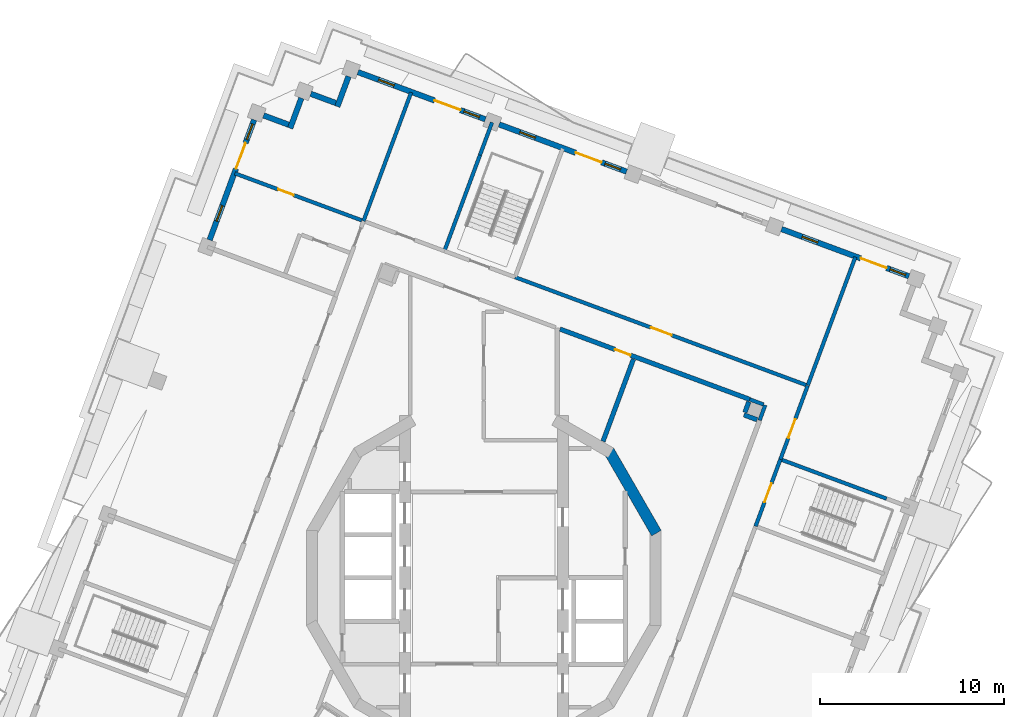
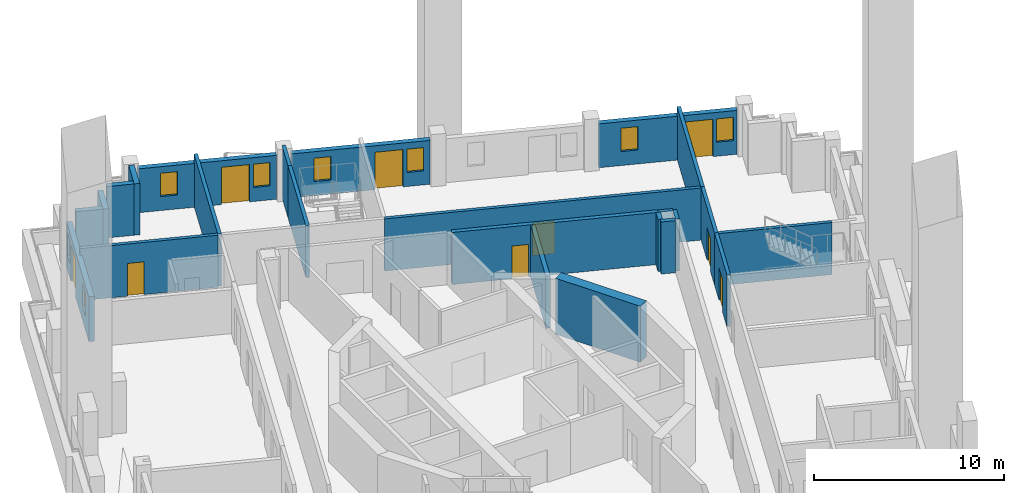
# One storey, part 7 of 20: 24 walls, 9 doors, 8 windows, 17 openings.
"""IFC4 building model written with IfcOpenShell, lengths in metres."""

from ifc_helpers import new_model, si_unit, direction, frame, frame_2d, origin, place, context, subcontext, project, spatial, rectangle, extrude, material, layer, layer_set, type_object, element, fill, save


model = new_model("IFC4")

# Units and contexts
model_context = context("Model", 3, precision=1e-05, world=origin(), true_north=direction((0.0, 1.0)))
body_context = subcontext(model_context, "Body", "Model", "MODEL_VIEW")
ifc_project = project(units=[si_unit("LENGTHUNIT", "METRE"), si_unit("AREAUNIT", "SQUARE_METRE"), si_unit("VOLUMEUNIT", "CUBIC_METRE"), si_unit("PLANEANGLEUNIT", "RADIAN"), si_unit("MASSUNIT", "GRAM", prefix="KILO")], contexts=[model_context])

# Site, building, storey
site_placement = place(None, origin())
site = spatial("IfcSite", under=ifc_project, at=site_placement, CompositionType="ELEMENT")
building_placement = place(site_placement, origin())
building = spatial("IfcBuilding", under=site, at=building_placement, Name="Cantera Rosa Tower", CompositionType="ELEMENT")
storey_placement = place(building_placement, frame((0.0, 0.0, 306.10009765625)))
storey = spatial("IfcBuildingStorey", under=building, at=storey_placement, Name="L67", CompositionType="ELEMENT", Elevation=306.10009765625)

# Walls
ifc_material_1 = material(Name="Gypsum board partition")
ifc_layer_1 = layer(ifc_material_1, 0.199951171875)
ifc_layer_set_1 = layer_set([ifc_layer_1], Name="CORRIDOR WALL 200 H3350")
wall_type_1 = type_object("IfcWallType", Name="CORRIDOR WALL 200 H3350", PredefinedType="PARTITIONING", material=ifc_layer_set_1)
wall_1_placement = place(storey_placement, frame((15.019287109375, 8.586181640625, 0.0), z_axis=(0.0, 0.0, 1.0), x_axis=(0.347684862487, 0.937611452787, 0.0)))
element("IfcWall", 1, at=wall_1_placement, inside=storey, type_object=wall_type_1, Name="CORRIDOR WALL L67-094", PredefinedType="PARTITIONING", context=body_context, shape_type="SweptSolid", body=[
    extrude(rectangle(XDim=0.8798828125, YDim=0.199951171875, at=frame_2d((0.43994140625, 0.0))), origin(), (0.0, 0.0, 1.0), 3.349853515625),
])
wall_2_placement = place(storey_placement, frame((15.2314453125, 9.446044921875, 0.0), z_axis=(0.0, 0.0, 1.0), x_axis=(-0.937664076813, 0.347542916853, 0.0)))
element("IfcWall", 2, at=wall_2_placement, inside=storey, type_object=wall_type_1, Name="CORRIDOR WALL L67-096", PredefinedType="PARTITIONING", context=body_context, shape_type="SweptSolid", body=[
    extrude(rectangle(XDim=0.800048828125, YDim=0.199951171875, at=frame_2d((0.39990234375, 0.0))), origin(), (0.0, 0.0, 1.0), 3.349853515625),
])

# Wall, opening, door
wall_3_placement = place(storey_placement, frame((16.1513671875, 6.460205078125, 0.0), z_axis=(0.0, 0.0, 1.0), x_axis=(0.347438825371, 0.937702651497, 0.0)))
wall_3 = element("IfcWall", 3, at=wall_3_placement, inside=storey, type_object=wall_type_1, Name="CORRIDOR WALL L67-098", PredefinedType="PARTITIONING", context=body_context, shape_type="SweptSolid", body=[
    extrude(rectangle(XDim=4.280029296875, YDim=0.199951171875, at=frame_2d((2.14013671875, 0.0))), origin(), (0.0, 0.0, 1.0), 3.349853515625),
])
opening_1_placement = place(wall_3_placement, frame((1.22998046875, 0.0, 0.0)))
opening_1 = element("IfcOpeningElement", 4, at=opening_1_placement, cuts=wall_3, Name="Opening L67-040", PredefinedType="OPENING", context=body_context, shape_type="SweptSolid", body=[
    extrude(rectangle(XDim=1.10009765625, YDim=2.10009765625, at=frame_2d((0.550048828125, 1.050048828125))), frame((0.0, 0.10986328125, 0.0), z_axis=(0.0, -1.0, 0.0), x_axis=(1.0, 0.0, 0.0)), (0.0, 0.0, 1.0), 0.219970703125),
])
ifc_material_2 = material(Name="Timber door leaf", Category="wood")
door_type_1 = type_object("IfcDoorType", Name="ROOM DOOR 1100x2100", OperationType="NOTDEFINED", PredefinedType="DOOR", material=ifc_material_2)
door_1_placement = place(opening_1_placement, origin())
door_1 = element("IfcDoor", 5, at=door_1_placement, inside=storey, type_object=door_type_1, Name="DOOR L67-040", OperationType="NOTDEFINED", OverallHeight=2.10009765625, OverallWidth=1.10009765625, PredefinedType="DOOR", context=body_context, shape_type="SweptSolid", body=[
    extrude(rectangle(XDim=1.10009765625, YDim=2.10009765625, at=frame_2d((0.550048828125, 1.050048828125))), frame((0.0, 0.02490234375, 0.0), z_axis=(0.0, -1.0, 0.0), x_axis=(1.0, 0.0, 0.0)), (0.0, 0.0, 1.0), 0.050048828125),
])
fill(opening_1, door_1)

wall_4_placement = place(storey_placement, frame((17.544677734375, 10.50830078125, 0.0), z_axis=(0.0, 0.0, 1.0), x_axis=(-0.937684617113, 0.347487494493, 0.0)))
wall_4 = element("IfcWall", 6, at=wall_4_placement, inside=storey, type_object=wall_type_1, Name="CORRIDOR WALL L67-099", PredefinedType="PARTITIONING", context=body_context, shape_type="SweptSolid", body=[
    extrude(rectangle(XDim=16.900146484375, YDim=0.199951171875, at=frame_2d((8.4501953125, 0.0))), origin(), (0.0, 0.0, 1.0), 3.349853515625),
])
opening_2_placement = place(wall_4_placement, frame((7.800048828125, 0.0, 0.0)))
opening_2 = element("IfcOpeningElement", 7, at=opening_2_placement, cuts=wall_4, Name="Opening L67-020", PredefinedType="OPENING", context=body_context, shape_type="SweptSolid", body=[
    extrude(rectangle(XDim=1.199951171875, YDim=2.10009765625, at=frame_2d((0.60009765625, 1.050048828125))), frame((0.0, 0.10986328125, 0.0), z_axis=(0.0, -1.0, 0.0), x_axis=(1.0, 0.0, 0.0)), (0.0, 0.0, 1.0), 0.219970703125),
])
ifc_material_3 = material(Name="Timber door leaf", Category="wood")
door_type_2 = type_object("IfcDoorType", Name="ROOM DOOR 1200x2100", OperationType="NOTDEFINED", PredefinedType="DOOR", material=ifc_material_3)
door_2_placement = place(opening_2_placement, origin())
door_2 = element("IfcDoor", 8, at=door_2_placement, inside=storey, type_object=door_type_2, Name="DOOR L67-020", OperationType="NOTDEFINED", OverallHeight=2.10009765625, OverallWidth=1.199951171875, PredefinedType="DOOR", context=body_context, shape_type="SweptSolid", body=[
    extrude(rectangle(XDim=1.199951171875, YDim=2.10009765625, at=frame_2d((0.60009765625, 1.050048828125))), frame((0.0, 0.02490234375, 0.0), z_axis=(0.0, -1.0, 0.0), x_axis=(1.0, 0.0, 0.0)), (0.0, 0.0, 1.0), 0.050048828125),
])
fill(opening_2, door_2)

# Walls
ifc_material_4 = material(Name="Hollow clay masonry with cantera stone cladding", Category="masonry")
ifc_layer_2 = layer(ifc_material_4, 0.300048828125)
ifc_layer_set_2 = layer_set([ifc_layer_2], Name="EW-LOGGIA 300")
wall_type_2 = type_object("IfcWallType", Name="EW-LOGGIA 300", PredefinedType="SOLIDWALL", material=ifc_layer_set_2)
wall_5_placement = place(storey_placement, frame((-7.36865234375, 27.312255859375, 0.0), z_axis=(0.0, 0.0, 1.0), x_axis=(-0.34752790836, -0.937669639538, 0.0)))
element("IfcWall", 9, at=wall_5_placement, inside=storey, type_object=wall_type_2, Name="EN-L67-W05a", PredefinedType="SOLIDWALL", context=body_context, shape_type="SweptSolid", body=[
    extrude(rectangle(XDim=1.75, YDim=0.300048828125, at=frame_2d((0.875, 0.0))), origin(), (0.0, 0.0, 1.0), 3.2998046875),
])
wall_6_placement = place(storey_placement, frame((-8.065185546875, 25.8642578125, 0.0), z_axis=(0.0, 0.0, 1.0), x_axis=(-0.937671557958, 0.347522732201, 0.0)))
element("IfcWall", 10, at=wall_6_placement, inside=storey, type_object=wall_type_2, Name="EN-L67-W05b", PredefinedType="SOLIDWALL", context=body_context, shape_type="SweptSolid", body=[
    extrude(rectangle(XDim=1.449951171875, YDim=0.300048828125, at=frame_2d((0.72509765625, 0.0))), origin(), (0.0, 0.0, 1.0), 3.2998046875),
])
wall_7_placement = place(storey_placement, frame((-9.93896484375, 26.132080078125, 0.0), z_axis=(0.0, 0.0, 1.0), x_axis=(-0.34748245117, -0.937686486054, 0.0)))
element("IfcWall", 11, at=wall_7_placement, inside=storey, type_object=wall_type_2, Name="EN-L67-W06a", PredefinedType="SOLIDWALL", context=body_context, shape_type="SweptSolid", body=[
    extrude(rectangle(XDim=1.750244140625, YDim=0.300048828125, at=frame_2d((0.875, 0.0))), origin(), (0.0, 0.0, 1.0), 3.2998046875),
])
wall_8_placement = place(storey_placement, frame((-10.635498046875, 24.683837890625, 0.0), z_axis=(0.0, 0.0, 1.0), x_axis=(-0.937671557958, 0.347522732201, 0.0)))
element("IfcWall", 12, at=wall_8_placement, inside=storey, type_object=wall_type_2, Name="EN-L67-W06b", PredefinedType="SOLIDWALL", context=body_context, shape_type="SweptSolid", body=[
    extrude(rectangle(XDim=1.449951171875, YDim=0.300048828125, at=frame_2d((0.72509765625, 0.0))), origin(), (0.0, 0.0, 1.0), 3.2998046875),
])

# Wall, openings, windows, door
ifc_material_5 = material(Name="Hollow clay masonry with cantera stone cladding", Category="masonry")
ifc_layer_3 = layer(ifc_material_5, 0.300048828125)
ifc_layer_set_3 = layer_set([ifc_layer_3], Name="EW-LOGGIA 300 H2820")
wall_type_3 = type_object("IfcWallType", Name="EW-LOGGIA 300 H2820", PredefinedType="SOLIDWALL", material=ifc_layer_set_3)
wall_9_placement = place(storey_placement, frame((23.1513671875, 16.428955078125, 0.0), z_axis=(0.0, 0.0, 1.0), x_axis=(-0.937676706507, 0.347508840281, 0.0)))
wall_9 = element("IfcWall", 13, at=wall_9_placement, inside=storey, type_object=wall_type_3, Name="EN-L67-W01", PredefinedType="SOLIDWALL", context=body_context, shape_type="SweptSolid", body=[
    extrude(rectangle(XDim=7.39990234375, YDim=0.300048828125, at=frame_2d((3.699951171875, 0.0))), origin(), (0.0, 0.0, 1.0), 2.81982421875),
])
opening_3_placement = place(wall_9_placement, frame((0.199951171875, 0.0, 0.89990234375)))
opening_3 = element("IfcOpeningElement", 14, at=opening_3_placement, cuts=wall_9, Name="Opening L67-W01", PredefinedType="OPENING", context=body_context, shape_type="SweptSolid", body=[
    extrude(rectangle(XDim=0.89990234375, YDim=1.5, at=frame_2d((0.449951171875, 0.75))), frame((0.0, 0.159912109375, 0.0), z_axis=(0.0, -1.0, 0.0), x_axis=(1.0, 0.0, 0.0)), (0.0, 0.0, 1.0), 0.320068359375),
])
opening_4_placement = place(wall_9_placement, frame((1.300048828125, 0.0, 0.0)))
opening_4 = element("IfcOpeningElement", 15, at=opening_4_placement, cuts=wall_9, Name="Opening L67-TD02", PredefinedType="OPENING", context=body_context, shape_type="SweptSolid", body=[
    extrude(rectangle(XDim=1.5, YDim=2.39990234375, at=frame_2d((0.75, 1.199951171875))), frame((0.0, 0.159912109375, 0.0), z_axis=(0.0, -1.0, 0.0), x_axis=(1.0, 0.0, 0.0)), (0.0, 0.0, 1.0), 0.320068359375),
])
opening_5_placement = place(wall_9_placement, frame((5.300048828125, 0.0, 0.89990234375)))
opening_5 = element("IfcOpeningElement", 16, at=opening_5_placement, cuts=wall_9, Name="Opening L67-W03", PredefinedType="OPENING", context=body_context, shape_type="SweptSolid", body=[
    extrude(rectangle(XDim=0.89990234375, YDim=1.5, at=frame_2d((0.449951171875, 0.75))), frame((0.0, 0.159912109375, 0.0), z_axis=(0.0, -1.0, 0.0), x_axis=(1.0, 0.0, 0.0)), (0.0, 0.0, 1.0), 0.320068359375),
])
ifc_material_6 = material(Name="Aluminium frame with clear glass", Category="aluminium")
window_type = type_object("IfcWindowType", Name="Residential window 900x1500", PartitioningType="SINGLE_PANEL", PredefinedType="WINDOW", material=ifc_material_6)
window_1_placement = place(opening_3_placement, origin())
window_1 = element("IfcWindow", 17, at=window_1_placement, inside=storey, type_object=window_type, Name="WINDOW L67-W01", OverallHeight=1.5, OverallWidth=0.89990234375, PartitioningType="SINGLE_PANEL", PredefinedType="WINDOW", context=body_context, shape_type="SweptSolid", body=[
    extrude(rectangle(XDim=0.89990234375, YDim=1.5, at=frame_2d((0.449951171875, 0.75))), frame((0.0, 0.030029296875, 0.0), z_axis=(0.0, -1.0, 0.0), x_axis=(1.0, 0.0, 0.0)), (0.0, 0.0, 1.0), 0.06005859375),
])
fill(opening_3, window_1)
window_2_placement = place(opening_5_placement, origin())
window_2 = element("IfcWindow", 18, at=window_2_placement, inside=storey, type_object=window_type, Name="WINDOW L67-W03", OverallHeight=1.5, OverallWidth=0.89990234375, PartitioningType="SINGLE_PANEL", PredefinedType="WINDOW", context=body_context, shape_type="SweptSolid", body=[
    extrude(rectangle(XDim=0.89990234375, YDim=1.5, at=frame_2d((0.449951171875, 0.75))), frame((0.0, 0.030029296875, 0.0), z_axis=(0.0, -1.0, 0.0), x_axis=(1.0, 0.0, 0.0)), (0.0, 0.0, 1.0), 0.06005859375),
])
fill(opening_5, window_2)
ifc_material_7 = material(Name="Aluminium frame with clear glass", Category="aluminium")
door_type_3 = type_object("IfcDoorType", Name="TD-R 1500x2400", OperationType="NOTDEFINED", PredefinedType="DOOR", material=ifc_material_7)
door_3_placement = place(opening_4_placement, origin())
door_3 = element("IfcDoor", 19, at=door_3_placement, inside=storey, type_object=door_type_3, Name="LOGGIA DOOR L67-TD02", OperationType="SLIDING_TO_LEFT", OverallHeight=2.39990234375, OverallWidth=1.5, PredefinedType="DOOR", context=body_context, shape_type="SweptSolid", body=[
    extrude(rectangle(XDim=1.5, YDim=2.39990234375, at=frame_2d((0.75, 1.199951171875))), frame((0.0, 0.02490234375, 0.0), z_axis=(0.0, -1.0, 0.0), x_axis=(1.0, 0.0, 0.0)), (0.0, 0.0, 1.0), 0.050048828125),
])
fill(opening_4, door_3)

wall_10_placement = place(storey_placement, frame((7.7734375, 22.127685546875, 0.0), z_axis=(0.0, 0.0, 1.0), x_axis=(-0.937680690562, 0.34749808999, 0.0)))
wall_10 = element("IfcWall", 20, at=wall_10_placement, inside=storey, type_object=wall_type_3, Name="EN-L67-W03", PredefinedType="SOLIDWALL", context=body_context, shape_type="SweptSolid", body=[
    extrude(rectangle(XDim=7.400146484375, YDim=0.300048828125, at=frame_2d((3.7001953125, 0.0))), origin(), (0.0, 0.0, 1.0), 2.81982421875),
])
opening_6_placement = place(wall_10_placement, frame((0.35009765625, 0.0, 0.89990234375)))
opening_6 = element("IfcOpeningElement", 21, at=opening_6_placement, cuts=wall_10, Name="Opening L67-W07", PredefinedType="OPENING", context=body_context, shape_type="SweptSolid", body=[
    extrude(rectangle(XDim=0.89990234375, YDim=1.5, at=frame_2d((0.449951171875, 0.75))), frame((0.0, 0.159912109375, 0.0), z_axis=(0.0, -1.0, 0.0), x_axis=(1.0, 0.0, 0.0)), (0.0, 0.0, 1.0), 0.320068359375),
])
opening_7_placement = place(wall_10_placement, frame((1.449951171875, 0.0, 0.0)))
opening_7 = element("IfcOpeningElement", 22, at=opening_7_placement, cuts=wall_10, Name="Opening L67-TD08", PredefinedType="OPENING", context=body_context, shape_type="SweptSolid", body=[
    extrude(rectangle(XDim=1.5, YDim=2.39990234375, at=frame_2d((0.75, 1.199951171875))), frame((0.0, 0.159912109375, 0.0), z_axis=(0.0, -1.0, 0.0), x_axis=(1.0, 0.0, 0.0)), (0.0, 0.0, 1.0), 0.320068359375),
])
opening_8_placement = place(wall_10_placement, frame((5.300048828125, 0.0, 0.89990234375)))
opening_8 = element("IfcOpeningElement", 23, at=opening_8_placement, cuts=wall_10, Name="Opening L67-W09", PredefinedType="OPENING", context=body_context, shape_type="SweptSolid", body=[
    extrude(rectangle(XDim=0.89990234375, YDim=1.5, at=frame_2d((0.449951171875, 0.75))), frame((0.0, 0.159912109375, 0.0), z_axis=(0.0, -1.0, 0.0), x_axis=(1.0, 0.0, 0.0)), (0.0, 0.0, 1.0), 0.320068359375),
])
window_3_placement = place(opening_6_placement, origin())
window_3 = element("IfcWindow", 24, at=window_3_placement, inside=storey, type_object=window_type, Name="WINDOW L67-W07", OverallHeight=1.5, OverallWidth=0.89990234375, PartitioningType="SINGLE_PANEL", PredefinedType="WINDOW", context=body_context, shape_type="SweptSolid", body=[
    extrude(rectangle(XDim=0.89990234375, YDim=1.5, at=frame_2d((0.449951171875, 0.75))), frame((0.0, 0.030029296875, 0.0), z_axis=(0.0, -1.0, 0.0), x_axis=(1.0, 0.0, 0.0)), (0.0, 0.0, 1.0), 0.06005859375),
])
fill(opening_6, window_3)
window_4_placement = place(opening_8_placement, origin())
window_4 = element("IfcWindow", 25, at=window_4_placement, inside=storey, type_object=window_type, Name="WINDOW L67-W09", OverallHeight=1.5, OverallWidth=0.89990234375, PartitioningType="SINGLE_PANEL", PredefinedType="WINDOW", context=body_context, shape_type="SweptSolid", body=[
    extrude(rectangle(XDim=0.89990234375, YDim=1.5, at=frame_2d((0.449951171875, 0.75))), frame((0.0, 0.030029296875, 0.0), z_axis=(0.0, -1.0, 0.0), x_axis=(1.0, 0.0, 0.0)), (0.0, 0.0, 1.0), 0.06005859375),
])
fill(opening_8, window_4)
door_4_placement = place(opening_7_placement, origin())
door_4 = element("IfcDoor", 26, at=door_4_placement, inside=storey, type_object=door_type_3, Name="LOGGIA DOOR L67-TD08", OperationType="SLIDING_TO_LEFT", OverallHeight=2.39990234375, OverallWidth=1.5, PredefinedType="DOOR", context=body_context, shape_type="SweptSolid", body=[
    extrude(rectangle(XDim=1.5, YDim=2.39990234375, at=frame_2d((0.75, 1.199951171875))), frame((0.0, 0.02490234375, 0.0), z_axis=(0.0, -1.0, 0.0), x_axis=(1.0, 0.0, 0.0)), (0.0, 0.0, 1.0), 0.050048828125),
])
fill(opening_7, door_4)

wall_11_placement = place(storey_placement, frame((0.084228515625, 24.97705078125, 0.0), z_axis=(0.0, 0.0, 1.0), x_axis=(-0.937687456783, 0.347479831633, 0.0)))
wall_11 = element("IfcWall", 27, at=wall_11_placement, inside=storey, type_object=wall_type_3, Name="EN-L67-W04", PredefinedType="SOLIDWALL", context=body_context, shape_type="SweptSolid", body=[
    extrude(rectangle(XDim=7.39990234375, YDim=0.300048828125, at=frame_2d((3.699951171875, 0.0))), origin(), (0.0, 0.0, 1.0), 2.81982421875),
])
opening_9_placement = place(wall_11_placement, frame((0.35009765625, 0.0, 0.89990234375)))
opening_9 = element("IfcOpeningElement", 28, at=opening_9_placement, cuts=wall_11, Name="Opening L67-W10", PredefinedType="OPENING", context=body_context, shape_type="SweptSolid", body=[
    extrude(rectangle(XDim=0.89990234375, YDim=1.5, at=frame_2d((0.449951171875, 0.75))), frame((0.0, 0.159912109375, 0.0), z_axis=(0.0, -1.0, 0.0), x_axis=(1.0, 0.0, 0.0)), (0.0, 0.0, 1.0), 0.320068359375),
])
opening_10_placement = place(wall_11_placement, frame((1.449951171875, 0.0, 0.0)))
opening_10 = element("IfcOpeningElement", 29, at=opening_10_placement, cuts=wall_11, Name="Opening L67-TD11", PredefinedType="OPENING", context=body_context, shape_type="SweptSolid", body=[
    extrude(rectangle(XDim=1.5, YDim=2.39990234375, at=frame_2d((0.75, 1.199951171875))), frame((0.0, 0.159912109375, 0.0), z_axis=(0.0, -1.0, 0.0), x_axis=(1.0, 0.0, 0.0)), (0.0, 0.0, 1.0), 0.320068359375),
])
opening_11_placement = place(wall_11_placement, frame((5.300048828125, 0.0, 0.89990234375)))
opening_11 = element("IfcOpeningElement", 30, at=opening_11_placement, cuts=wall_11, Name="Opening L67-W12", PredefinedType="OPENING", context=body_context, shape_type="SweptSolid", body=[
    extrude(rectangle(XDim=0.89990234375, YDim=1.5, at=frame_2d((0.449951171875, 0.75))), frame((0.0, 0.159912109375, 0.0), z_axis=(0.0, -1.0, 0.0), x_axis=(1.0, 0.0, 0.0)), (0.0, 0.0, 1.0), 0.320068359375),
])
window_5_placement = place(opening_9_placement, origin())
window_5 = element("IfcWindow", 31, at=window_5_placement, inside=storey, type_object=window_type, Name="WINDOW L67-W10", OverallHeight=1.5, OverallWidth=0.89990234375, PartitioningType="SINGLE_PANEL", PredefinedType="WINDOW", context=body_context, shape_type="SweptSolid", body=[
    extrude(rectangle(XDim=0.89990234375, YDim=1.5, at=frame_2d((0.449951171875, 0.75))), frame((0.0, 0.030029296875, 0.0), z_axis=(0.0, -1.0, 0.0), x_axis=(1.0, 0.0, 0.0)), (0.0, 0.0, 1.0), 0.06005859375),
])
fill(opening_9, window_5)
window_6_placement = place(opening_11_placement, origin())
window_6 = element("IfcWindow", 32, at=window_6_placement, inside=storey, type_object=window_type, Name="WINDOW L67-W12", OverallHeight=1.5, OverallWidth=0.89990234375, PartitioningType="SINGLE_PANEL", PredefinedType="WINDOW", context=body_context, shape_type="SweptSolid", body=[
    extrude(rectangle(XDim=0.89990234375, YDim=1.5, at=frame_2d((0.449951171875, 0.75))), frame((0.0, 0.030029296875, 0.0), z_axis=(0.0, -1.0, 0.0), x_axis=(1.0, 0.0, 0.0)), (0.0, 0.0, 1.0), 0.06005859375),
])
fill(opening_11, window_6)
door_5_placement = place(opening_10_placement, origin())
door_5 = element("IfcDoor", 33, at=door_5_placement, inside=storey, type_object=door_type_3, Name="LOGGIA DOOR L67-TD11", OperationType="SLIDING_TO_LEFT", OverallHeight=2.39990234375, OverallWidth=1.5, PredefinedType="DOOR", context=body_context, shape_type="SweptSolid", body=[
    extrude(rectangle(XDim=1.5, YDim=2.39990234375, at=frame_2d((0.75, 1.199951171875))), frame((0.0, 0.02490234375, 0.0), z_axis=(0.0, -1.0, 0.0), x_axis=(1.0, 0.0, 0.0)), (0.0, 0.0, 1.0), 0.050048828125),
])
fill(opening_10, door_5)

ifc_material_8 = material(Name="Hollow clay masonry with cantera stone cladding", Category="masonry")
ifc_layer_4 = layer(ifc_material_8, 0.300048828125)
ifc_layer_set_4 = layer_set([ifc_layer_4], Name="EW-LOGGIA 300 H2890")
wall_type_4 = type_object("IfcWallType", Name="EW-LOGGIA 300 H2890", PredefinedType="SOLIDWALL", material=ifc_layer_set_4)
wall_12_placement = place(storey_placement, frame((-12.50927734375, 24.95166015625, 0.0), z_axis=(0.0, 0.0, 1.0), x_axis=(-0.347490919506, -0.937683347864, 0.0)))
wall_12 = element("IfcWall", 34, at=wall_12_placement, inside=storey, type_object=wall_type_4, Name="EN-L67-W07", PredefinedType="SOLIDWALL", context=body_context, shape_type="SweptSolid", body=[
    extrude(rectangle(XDim=6.980224609375, YDim=0.300048828125, at=frame_2d((3.490234375, 0.0))), origin(), (0.0, 0.0, 1.0), 2.889892578125),
])
opening_12_placement = place(wall_12_placement, frame((0.2451171875, 0.0, 0.89990234375)))
opening_12 = element("IfcOpeningElement", 35, at=opening_12_placement, cuts=wall_12, Name="Opening L67-W13", PredefinedType="OPENING", context=body_context, shape_type="SweptSolid", body=[
    extrude(rectangle(XDim=0.89990234375, YDim=1.5, at=frame_2d((0.449951171875, 0.75))), frame((0.0, 0.159912109375, 0.0), z_axis=(0.0, -1.0, 0.0), x_axis=(1.0, 0.0, 0.0)), (0.0, 0.0, 1.0), 0.320068359375),
])
opening_13_placement = place(wall_12_placement, frame((1.344970703125, 0.0, 0.0)))
opening_13 = element("IfcOpeningElement", 36, at=opening_13_placement, cuts=wall_12, Name="Opening L67-TD14", PredefinedType="OPENING", context=body_context, shape_type="SweptSolid", body=[
    extrude(rectangle(XDim=1.5, YDim=2.39990234375, at=frame_2d((0.75, 1.199951171875))), frame((0.0, 0.159912109375, 0.0), z_axis=(0.0, -1.0, 0.0), x_axis=(1.0, 0.0, 0.0)), (0.0, 0.0, 1.0), 0.320068359375),
])
opening_14_placement = place(wall_12_placement, frame((4.985107421875, 0.0, 0.89990234375)))
opening_14 = element("IfcOpeningElement", 37, at=opening_14_placement, cuts=wall_12, Name="Opening L67-W15", PredefinedType="OPENING", context=body_context, shape_type="SweptSolid", body=[
    extrude(rectangle(XDim=0.89990234375, YDim=1.5, at=frame_2d((0.449951171875, 0.75))), frame((0.0, 0.159912109375, 0.0), z_axis=(0.0, -1.0, 0.0), x_axis=(1.0, 0.0, 0.0)), (0.0, 0.0, 1.0), 0.320068359375),
])
window_7_placement = place(opening_12_placement, origin())
window_7 = element("IfcWindow", 38, at=window_7_placement, inside=storey, type_object=window_type, Name="WINDOW L67-W13", OverallHeight=1.5, OverallWidth=0.89990234375, PartitioningType="SINGLE_PANEL", PredefinedType="WINDOW", context=body_context, shape_type="SweptSolid", body=[
    extrude(rectangle(XDim=0.89990234375, YDim=1.5, at=frame_2d((0.449951171875, 0.75))), frame((0.0, 0.030029296875, 0.0), z_axis=(0.0, -1.0, 0.0), x_axis=(1.0, 0.0, 0.0)), (0.0, 0.0, 1.0), 0.06005859375),
])
fill(opening_12, window_7)
window_8_placement = place(opening_14_placement, origin())
window_8 = element("IfcWindow", 39, at=window_8_placement, inside=storey, type_object=window_type, Name="WINDOW L67-W15", OverallHeight=1.5, OverallWidth=0.89990234375, PartitioningType="SINGLE_PANEL", PredefinedType="WINDOW", context=body_context, shape_type="SweptSolid", body=[
    extrude(rectangle(XDim=0.89990234375, YDim=1.5, at=frame_2d((0.449951171875, 0.75))), frame((0.0, 0.030029296875, 0.0), z_axis=(0.0, -1.0, 0.0), x_axis=(1.0, 0.0, 0.0)), (0.0, 0.0, 1.0), 0.06005859375),
])
fill(opening_14, window_8)
door_6_placement = place(opening_13_placement, origin())
door_6 = element("IfcDoor", 40, at=door_6_placement, inside=storey, type_object=door_type_3, Name="LOGGIA DOOR L67-TD14", OperationType="SLIDING_TO_LEFT", OverallHeight=2.39990234375, OverallWidth=1.5, PredefinedType="DOOR", context=body_context, shape_type="SweptSolid", body=[
    extrude(rectangle(XDim=1.5, YDim=2.39990234375, at=frame_2d((0.75, 1.199951171875))), frame((0.0, 0.02490234375, 0.0), z_axis=(0.0, -1.0, 0.0), x_axis=(1.0, 0.0, 0.0)), (0.0, 0.0, 1.0), 0.050048828125),
])
fill(opening_13, door_6)

# Wall, opening, door
ifc_material_9 = material(Name="Gypsum board partition")
ifc_layer_5 = layer(ifc_material_9, 0.199951171875)
ifc_layer_set_5 = layer_set([ifc_layer_5], Name="PARTITION 200 H3350")
wall_type_5 = type_object("IfcWallType", Name="PARTITION 200 H3350", PredefinedType="PARTITIONING", material=ifc_layer_set_5)
wall_13_placement = place(storey_placement, frame((-6.647705078125, 19.473388671875, 0.0), z_axis=(0.0, 0.0, 1.0), x_axis=(-0.937691605032, 0.347468637221, 0.0)))
wall_13 = element("IfcWall", 41, at=wall_13_placement, inside=storey, type_object=wall_type_5, Name="PARTITION L67-030", PredefinedType="PARTITIONING", context=body_context, shape_type="SweptSolid", body=[
    extrude(rectangle(XDim=7.369873046875, YDim=0.199951171875, at=frame_2d((3.68505859375, 0.0))), origin(), (0.0, 0.0, 1.0), 3.349853515625),
])
opening_15_placement = place(wall_13_placement, frame((3.949951171875, 0.0, 0.0)))
opening_15 = element("IfcOpeningElement", 42, at=opening_15_placement, cuts=wall_13, Name="Opening L67-025", PredefinedType="OPENING", context=body_context, shape_type="SweptSolid", body=[
    extrude(rectangle(XDim=0.89990234375, YDim=2.10009765625, at=frame_2d((0.449951171875, 1.050048828125))), frame((0.0, 0.10986328125, 0.0), z_axis=(0.0, -1.0, 0.0), x_axis=(1.0, 0.0, 0.0)), (0.0, 0.0, 1.0), 0.219970703125),
])
ifc_material_10 = material(Name="Timber door leaf", Category="wood")
door_type_4 = type_object("IfcDoorType", Name="ROOM DOOR 900x2100", OperationType="NOTDEFINED", PredefinedType="DOOR", material=ifc_material_10)
door_7_placement = place(opening_15_placement, origin())
door_7 = element("IfcDoor", 43, at=door_7_placement, inside=storey, type_object=door_type_4, Name="DOOR L67-025", OperationType="NOTDEFINED", OverallHeight=2.10009765625, OverallWidth=0.89990234375, PredefinedType="DOOR", context=body_context, shape_type="SweptSolid", body=[
    extrude(rectangle(XDim=0.89990234375, YDim=2.10009765625, at=frame_2d((0.449951171875, 1.050048828125))), frame((0.0, 0.02490234375, 0.0), z_axis=(0.0, -1.0, 0.0), x_axis=(1.0, 0.0, 0.0)), (0.0, 0.0, 1.0), 0.050048828125),
])
fill(opening_15, door_7)

# Walls
wall_14_placement = place(storey_placement, frame((20.234130859375, 17.47802734375, 0.0), z_axis=(0.0, 0.0, 1.0), x_axis=(-0.347475519739, -0.937689054635, 0.0)))
element("IfcWall", 44, at=wall_14_placement, inside=storey, type_object=wall_type_5, Name="PARTITION L67-100", PredefinedType="PARTITIONING", context=body_context, shape_type="SweptSolid", body=[
    extrude(rectangle(XDim=7.44970703125, YDim=0.199951171875, at=frame_2d((3.724853515625, 0.0))), origin(), (0.0, 0.0, 1.0), 3.349853515625),
])
ifc_material_11 = material(Name="Gypsum board partition")
ifc_layer_6 = layer(ifc_material_11, 0.199951171875)
ifc_layer_set_6 = layer_set([ifc_layer_6], Name="PARTY WALL 200 H3350")
wall_type_6 = type_object("IfcWallType", Name="PARTY WALL 200 H3350", PredefinedType="PARTITIONING", material=ifc_layer_set_6)
wall_15_placement = place(storey_placement, frame((-6.5537109375, 19.438720703125, 0.0), z_axis=(0.0, 0.0, 1.0), x_axis=(0.347460186276, 0.93769473655, 0.0)))
element("IfcWall", 45, at=wall_15_placement, inside=storey, type_object=wall_type_6, Name="PARTY WALL L67-031", PredefinedType="PARTITIONING", context=body_context, shape_type="SweptSolid", body=[
    extrude(rectangle(XDim=7.4697265625, YDim=0.199951171875, at=frame_2d((3.73486328125, 0.0))), origin(), (0.0, 0.0, 1.0), 3.349853515625),
])
ifc_material_12 = material(Name="Concrete C50/60", Category="concrete")
ifc_layer_7 = layer(ifc_material_12, 0.60009765625)
ifc_layer_set_7 = layer_set([ifc_layer_7], Name="RC CORE WALL 600 C50/60")
wall_type_7 = type_object("IfcWallType", Name="RC CORE WALL 600 C50/60", PredefinedType="SHEAR", material=ifc_layer_set_7)
wall_16_placement = place(storey_placement, frame((6.811279296875, 6.921142578125, 0.0), z_axis=(0.0, 0.0, 1.0), x_axis=(0.499989188378, -0.866031645787, 0.0)))
element("IfcWall", 46, at=wall_16_placement, inside=storey, type_object=wall_type_7, Name="CW-E2 L67", PredefinedType="SHEAR", context=body_context, shape_type="SweptSolid", body=[
    extrude(rectangle(XDim=5.17626953125, YDim=0.60009765625, at=frame_2d((2.588134765625, 0.0))), origin(), (0.0, 0.0, 1.0), 3.599853515625),
])
ifc_material_13 = material(Name="Masonry blockwork", Category="masonry")
ifc_layer_8 = layer(ifc_material_13, 0.25)
ifc_layer_set_8 = layer_set([ifc_layer_8], Name="SHAFT WALL 250 H3350")
wall_type_8 = type_object("IfcWallType", Name="SHAFT WALL 250 H3350", PredefinedType="SOLIDWALL", material=ifc_layer_set_8)
wall_17_placement = place(storey_placement, frame((6.489990234375, 7.441162109375, 0.0), z_axis=(0.0, 0.0, 1.0), x_axis=(0.347515955786, 0.937674069426, 0.0)))
element("IfcWall", 47, at=wall_17_placement, inside=storey, type_object=wall_type_8, Name="SHAFT WALL L67-076", PredefinedType="SOLIDWALL", context=body_context, shape_type="SweptSolid", body=[
    extrude(rectangle(XDim=4.772216796875, YDim=0.25, at=frame_2d((2.38623046875, 0.0))), origin(), (0.0, 0.0, 1.0), 3.349853515625),
])
wall_18_placement = place(storey_placement, frame((14.16845703125, 8.8798828125, 0.0), z_axis=(0.0, 0.0, 1.0), x_axis=(0.937760386043, -0.347282965849, 0.0)))
element("IfcWall", 48, at=wall_18_placement, inside=storey, type_object=wall_type_8, Name="SHAFT WALL L67-090", PredefinedType="SOLIDWALL", context=body_context, shape_type="SweptSolid", body=[
    extrude(rectangle(XDim=0.760009765625, YDim=0.25, at=frame_2d((0.3798828125, 0.0))), origin(), (0.0, 0.0, 1.0), 3.349853515625),
])

# Wall, opening, door
wall_19_placement = place(storey_placement, frame((14.481201171875, 9.72412109375, 0.0), z_axis=(0.0, 0.0, 1.0), x_axis=(-0.937690744713, 0.347470958902, 0.0)))
wall_19 = element("IfcWall", 49, at=wall_19_placement, inside=storey, type_object=wall_type_8, Name="SHAFT WALL L67-091", PredefinedType="SOLIDWALL", context=body_context, shape_type="SweptSolid", body=[
    extrude(rectangle(XDim=11.017822265625, YDim=0.25, at=frame_2d((5.5087890625, 0.0))), origin(), (0.0, 0.0, 1.0), 3.349853515625),
])
opening_16_placement = place(wall_19_placement, frame((6.921630859375, 0.0, 0.0)))
opening_16 = element("IfcOpeningElement", 50, at=opening_16_placement, cuts=wall_19, Name="Opening L67-008", PredefinedType="OPENING", context=body_context, shape_type="SweptSolid", body=[
    extrude(rectangle(XDim=0.89990234375, YDim=2.10009765625, at=frame_2d((0.449951171875, 1.050048828125))), frame((0.0, 0.135009765625, 0.0), z_axis=(0.0, -1.0, 0.0), x_axis=(1.0, 0.0, 0.0)), (0.0, 0.0, 1.0), 0.27001953125),
])
ifc_material_14 = material(Name="Timber door leaf", Category="wood")
door_type_5 = type_object("IfcDoorType", Name="SERVICE DOOR 900x2100", OperationType="NOTDEFINED", PredefinedType="DOOR", material=ifc_material_14)
door_8_placement = place(opening_16_placement, origin())
door_8 = element("IfcDoor", 51, at=door_8_placement, inside=storey, type_object=door_type_5, Name="RISER DOOR L67-008", OperationType="NOTDEFINED", OverallHeight=2.10009765625, OverallWidth=0.89990234375, PredefinedType="DOOR", context=body_context, shape_type="SweptSolid", body=[
    extrude(rectangle(XDim=0.89990234375, YDim=2.10009765625, at=frame_2d((0.449951171875, 1.050048828125))), frame((0.0, 0.02490234375, 0.0), z_axis=(0.0, -1.0, 0.0), x_axis=(1.0, 0.0, 0.0)), (0.0, 0.0, 1.0), 0.050048828125),
])
fill(opening_16, door_8)

# Walls
wall_20_placement = place(storey_placement, frame((14.4326171875, 9.5927734375, 0.0), z_axis=(0.0, 0.0, 1.0), x_axis=(-0.347237420636, -0.937777251649, 0.0)))
element("IfcWall", 52, at=wall_20_placement, inside=storey, type_object=wall_type_8, Name="SHAFT WALL L67-092", PredefinedType="SOLIDWALL", context=body_context, shape_type="SweptSolid", body=[
    extrude(rectangle(XDim=0.6201171875, YDim=0.25, at=frame_2d((0.31005859375, 0.0))), origin(), (0.0, 0.0, 1.0), 3.349853515625),
])
ifc_material_15 = material(Name="Concrete C50/60", Category="concrete")
ifc_layer_9 = layer(ifc_material_15, 0.199951171875)
ifc_layer_set_9 = layer_set([ifc_layer_9], Name="STAIR WALL 200 H3350")
wall_type_9 = type_object("IfcWallType", Name="STAIR WALL 200 H3350", PredefinedType="SOLIDWALL", material=ifc_layer_set_9)
wall_21_placement = place(storey_placement, frame((0.448974609375, 24.81005859375, 0.0), z_axis=(0.0, 0.0, 1.0), x_axis=(-0.34743152672, -0.937705355771, 0.0)))
element("IfcWall", 53, at=wall_21_placement, inside=storey, type_object=wall_type_9, Name="STAIR WALL L67-052", PredefinedType="SOLIDWALL", context=body_context, shape_type="SweptSolid", body=[
    extrude(rectangle(XDim=1.900146484375, YDim=0.199951171875, at=frame_2d((0.9501953125, 0.0))), origin(), (0.0, 0.0, 1.0), 3.349853515625),
])

# Wall, opening, door
wall_22_placement = place(storey_placement, frame((16.1513671875, 6.460205078125, 0.0), z_axis=(0.0, 0.0, 1.0), x_axis=(-0.347516717491, -0.937673787126, 0.0)))
wall_22 = element("IfcWall", 54, at=wall_22_placement, inside=storey, type_object=wall_type_9, Name="STAIR WALL L67-097", PredefinedType="SOLIDWALL", context=body_context, shape_type="SweptSolid", body=[
    extrude(rectangle(XDim=3.889892578125, YDim=0.199951171875, at=frame_2d((1.94482421875, 0.0))), origin(), (0.0, 0.0, 1.0), 3.349853515625),
])
opening_17_placement = place(wall_22_placement, frame((1.39501953125, 0.0, 0.0)))
opening_17 = element("IfcOpeningElement", 55, at=opening_17_placement, cuts=wall_22, Name="Opening L67-001", PredefinedType="OPENING", context=body_context, shape_type="SweptSolid", body=[
    extrude(rectangle(XDim=1.10009765625, YDim=2.10009765625, at=frame_2d((0.550048828125, 1.050048828125))), frame((0.0, 0.10986328125, 0.0), z_axis=(0.0, -1.0, 0.0), x_axis=(1.0, 0.0, 0.0)), (0.0, 0.0, 1.0), 0.219970703125),
])
ifc_material_16 = material(Name="Steel S355J2 (EN 10025-2)", Category="steel")
door_type_6 = type_object("IfcDoorType", Name="STAIR DOOR 1100x2100", OperationType="NOTDEFINED", PredefinedType="DOOR", material=ifc_material_16)
door_9_placement = place(opening_17_placement, origin())
door_9 = element("IfcDoor", 56, at=door_9_placement, inside=storey, type_object=door_type_6, Name="DOOR L67-001", OperationType="NOTDEFINED", OverallHeight=2.10009765625, OverallWidth=1.10009765625, PredefinedType="DOOR", context=body_context, shape_type="SweptSolid", body=[
    extrude(rectangle(XDim=1.10009765625, YDim=2.10009765625, at=frame_2d((0.550048828125, 1.050048828125))), frame((0.0, 0.02490234375, 0.0), z_axis=(0.0, -1.0, 0.0), x_axis=(1.0, 0.0, 0.0)), (0.0, 0.0, 1.0), 0.050048828125),
])
fill(opening_17, door_9)

# Walls
wall_23_placement = place(storey_placement, frame((21.936767578125, 4.31640625, 0.0), z_axis=(0.0, 0.0, 1.0), x_axis=(-0.937692901762, 0.347465137797, 0.0)))
element("IfcWall", 57, at=wall_23_placement, inside=storey, type_object=wall_type_9, Name="STAIR WALL L67-101 J", PredefinedType="SOLIDWALL", context=body_context, shape_type="SweptSolid", body=[
    extrude(rectangle(XDim=6.169921875, YDim=0.199951171875, at=frame_2d((3.0849609375, 0.0))), origin(), (0.0, 0.0, 1.0), 3.349853515625),
])
wall_24_placement = place(storey_placement, frame((-0.211181640625, 23.0283203125, 0.0), z_axis=(0.0, 0.0, 1.0), x_axis=(-0.347494221501, -0.937682124189, 0.0)))
element("IfcWall", 58, at=wall_24_placement, inside=storey, type_object=wall_type_9, Name="STAIR WALL L67-052 J", PredefinedType="SOLIDWALL", context=body_context, shape_type="SweptSolid", body=[
    extrude(rectangle(XDim=5.570068359375, YDim=0.199951171875, at=frame_2d((2.78515625, 0.0))), origin(), (0.0, 0.0, 1.0), 3.349853515625),
])

save(model, "model.ifc")
